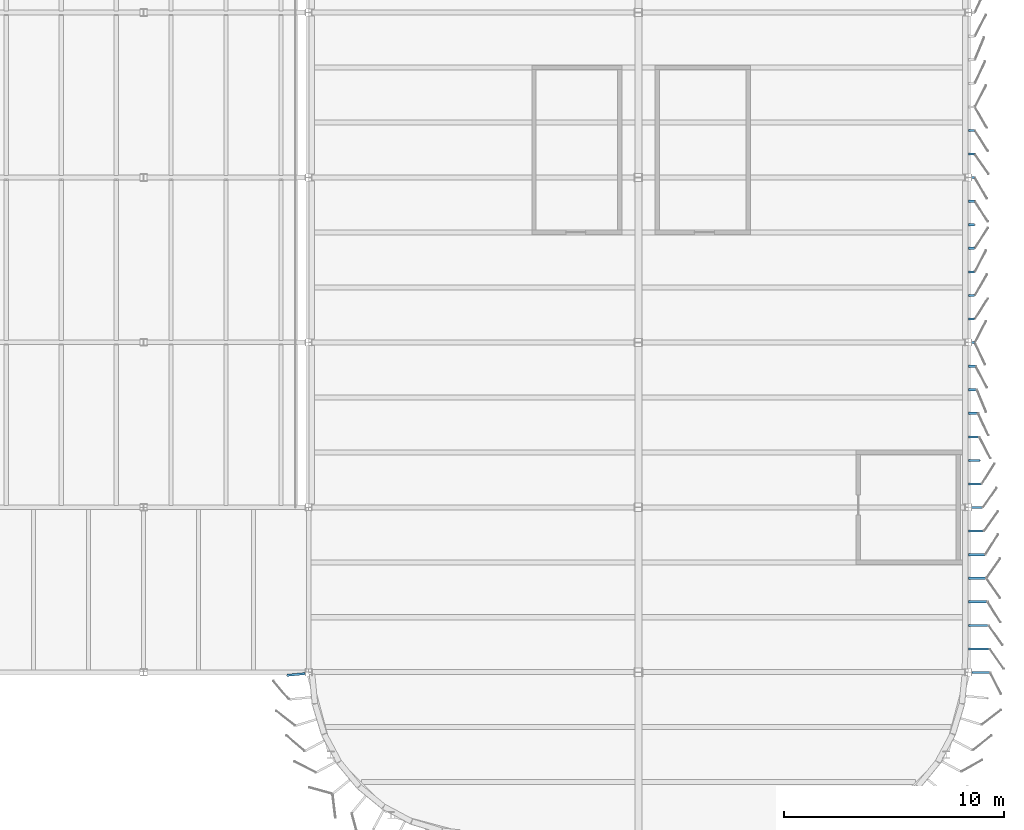
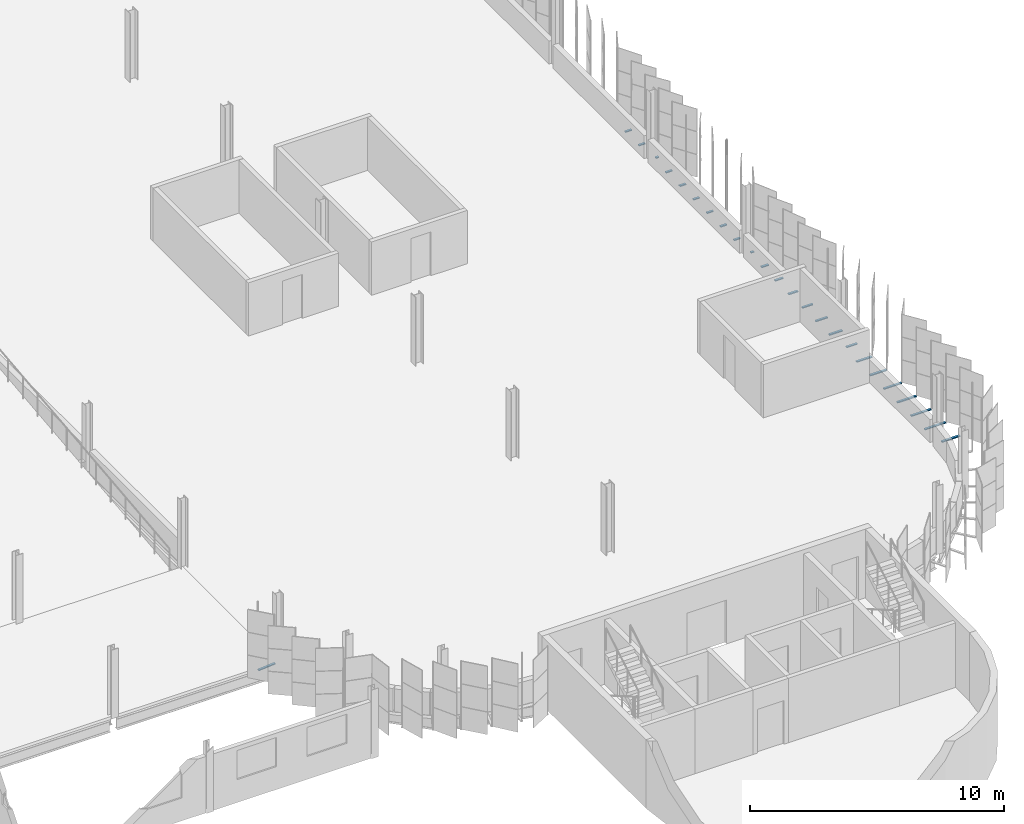
# One storey, part 168 of 199: 25 discrete accessories.
"""IFC4 building model written with IfcOpenShell, lengths in metres."""

from ifc_helpers import new_model, si_unit, direction, frame, origin, origin_2d, place, context, subcontext, project, spatial, rectangle, extrude, material, type_object, element, save


model = new_model("IFC4")

# Units and contexts
model_context = context("Model", 3, precision=1e-05, world=origin(), true_north=direction((0.0, 1.0)))
body_context = subcontext(model_context, "Body", "Model", "MODEL_VIEW")
ifc_project = project(units=[si_unit("LENGTHUNIT", "METRE"), si_unit("AREAUNIT", "SQUARE_METRE"), si_unit("VOLUMEUNIT", "CUBIC_METRE"), si_unit("PLANEANGLEUNIT", "RADIAN"), si_unit("MASSUNIT", "GRAM", prefix="KILO")], contexts=[model_context])

# Site, building, storey
site_placement = place(None, origin())
site = spatial("IfcSite", under=ifc_project, at=site_placement, CompositionType="ELEMENT")
building_placement = place(site_placement, origin())
building = spatial("IfcBuilding", under=site, at=building_placement, Name="Parallax Yard Mobility Hub", CompositionType="ELEMENT")
storey_placement = place(building_placement, frame((0.0, 0.0, 9.89990234375)))
storey = spatial("IfcBuildingStorey", under=building, at=storey_placement, Name="L03", CompositionType="ELEMENT", Elevation=9.89990234375)

# Discrete accessories
ifc_material = material(Name="Steel ASTM A36, hot-dip galvanised", Category="steel")
discrete_accessory_type = type_object("IfcDiscreteAccessoryType", Name="Hinge bracket plate 100x50", PredefinedType="BRACKET", material=ifc_material)
discrete_accessory_1_placement = place(storey_placement, frame((194.428955078125, 29.89794921875, -0.02490234375), z_axis=(0.0, 0.0, 1.0), x_axis=(-0.995184726672, -0.09801714033, 0.0)))
element("IfcDiscreteAccessory", 1, at=discrete_accessory_1_placement, inside=storey, type_object=discrete_accessory_type, Name="Hinge bracket plate bay 30.1 level L03", PredefinedType="BRACKET", context=body_context, shape_type="SweptSolid", body=[
    extrude(rectangle(XDim=0.810791015625, YDim=0.10009765625, at=origin_2d()), origin(), (0.0, 0.0, 1.0), 0.050048828125),
])
discrete_accessory_2_placement = place(storey_placement, frame((225.571044921875, 29.985595703125, -0.02490234375), z_axis=(0.0, 0.0, 1.0), x_axis=(1.0, 0.0, 0.0)))
element("IfcDiscreteAccessory", 2, at=discrete_accessory_2_placement, inside=storey, type_object=discrete_accessory_type, Name="Hinge bracket plate bay 33.1 level L03", PredefinedType="BRACKET", context=body_context, shape_type="SweptSolid", body=[
    extrude(rectangle(XDim=0.8251953125, YDim=0.10009765625, at=origin_2d()), origin(), (0.0, 0.0, 1.0), 0.050048828125),
])
discrete_accessory_3_placement = place(storey_placement, frame((225.4833984375, 31.057373046875, -0.02490234375), z_axis=(0.0, 0.0, 1.0), x_axis=(1.0, 0.0, 0.0)))
element("IfcDiscreteAccessory", 3, at=discrete_accessory_3_placement, inside=storey, type_object=discrete_accessory_type, Name="Hinge bracket plate bay 33.2 level L03", PredefinedType="BRACKET", context=body_context, shape_type="SweptSolid", body=[
    extrude(rectangle(XDim=0.968017578125, YDim=0.10009765625, at=origin_2d()), origin(), (0.0, 0.0, 1.0), 0.050048828125),
])
discrete_accessory_4_placement = place(storey_placement, frame((225.456787109375, 32.12890625, -0.02490234375), z_axis=(0.0, 0.0, 1.0), x_axis=(1.0, 0.0, 0.0)))
element("IfcDiscreteAccessory", 4, at=discrete_accessory_4_placement, inside=storey, type_object=discrete_accessory_type, Name="Hinge bracket plate bay 33.3 level L03", PredefinedType="BRACKET", context=body_context, shape_type="SweptSolid", body=[
    extrude(rectangle(XDim=0.91455078125, YDim=0.10009765625, at=origin_2d()), origin(), (0.0, 0.0, 1.0), 0.050048828125),
])
discrete_accessory_5_placement = place(storey_placement, frame((225.429931640625, 33.20068359375, -0.02490234375), z_axis=(0.0, 0.0, 1.0), x_axis=(1.0, 0.0, 0.0)))
element("IfcDiscreteAccessory", 5, at=discrete_accessory_5_placement, inside=storey, type_object=discrete_accessory_type, Name="Hinge bracket plate bay 33.4 level L03", PredefinedType="BRACKET", context=body_context, shape_type="SweptSolid", body=[
    extrude(rectangle(XDim=0.86083984375, YDim=0.10009765625, at=origin_2d()), origin(), (0.0, 0.0, 1.0), 0.050048828125),
])
discrete_accessory_6_placement = place(storey_placement, frame((225.4033203125, 34.2724609375, -0.02490234375), z_axis=(0.0, 0.0, 1.0), x_axis=(1.0, 0.0, 0.0)))
element("IfcDiscreteAccessory", 6, at=discrete_accessory_6_placement, inside=storey, type_object=discrete_accessory_type, Name="Hinge bracket plate bay 33.5 level L03", PredefinedType="BRACKET", context=body_context, shape_type="SweptSolid", body=[
    extrude(rectangle(XDim=0.807373046875, YDim=0.10009765625, at=origin_2d()), origin(), (0.0, 0.0, 1.0), 0.050048828125),
])
discrete_accessory_7_placement = place(storey_placement, frame((225.37646484375, 35.34423828125, -0.02490234375), z_axis=(0.0, 0.0, 1.0), x_axis=(1.0, 0.0, 0.0)))
element("IfcDiscreteAccessory", 7, at=discrete_accessory_7_placement, inside=storey, type_object=discrete_accessory_type, Name="Hinge bracket plate bay 33.6 level L03", PredefinedType="BRACKET", context=body_context, shape_type="SweptSolid", body=[
    extrude(rectangle(XDim=0.75390625, YDim=0.10009765625, at=origin_2d()), origin(), (0.0, 0.0, 1.0), 0.050048828125),
])
discrete_accessory_8_placement = place(storey_placement, frame((225.349609375, 36.416015625, -0.02490234375), z_axis=(0.0, 0.0, 1.0), x_axis=(1.0, 0.0, 0.0)))
element("IfcDiscreteAccessory", 8, at=discrete_accessory_8_placement, inside=storey, type_object=discrete_accessory_type, Name="Hinge bracket plate bay 33.7 level L03", PredefinedType="BRACKET", context=body_context, shape_type="SweptSolid", body=[
    extrude(rectangle(XDim=0.7001953125, YDim=0.10009765625, at=origin_2d()), origin(), (0.0, 0.0, 1.0), 0.050048828125),
])
discrete_accessory_9_placement = place(storey_placement, frame((225.399658203125, 37.487548828125, -0.02490234375), z_axis=(0.0, 0.0, 1.0), x_axis=(1.0, 0.0, 0.0)))
element("IfcDiscreteAccessory", 9, at=discrete_accessory_9_placement, inside=storey, type_object=discrete_accessory_type, Name="Hinge bracket plate bay 34.1 level L03", PredefinedType="BRACKET", context=body_context, shape_type="SweptSolid", body=[
    extrude(rectangle(XDim=0.4931640625, YDim=0.10009765625, at=origin_2d()), origin(), (0.0, 0.0, 1.0), 0.050048828125),
])
discrete_accessory_10_placement = place(storey_placement, frame((225.2958984375, 38.559326171875, -0.02490234375), z_axis=(0.0, 0.0, 1.0), x_axis=(1.0, 0.0, 0.0)))
element("IfcDiscreteAccessory", 10, at=discrete_accessory_10_placement, inside=storey, type_object=discrete_accessory_type, Name="Hinge bracket plate bay 34.2 level L03", PredefinedType="BRACKET", context=body_context, shape_type="SweptSolid", body=[
    extrude(rectangle(XDim=0.593017578125, YDim=0.10009765625, at=origin_2d()), origin(), (0.0, 0.0, 1.0), 0.050048828125),
])
discrete_accessory_11_placement = place(storey_placement, frame((225.269287109375, 39.631103515625, -0.02490234375), z_axis=(0.0, 0.0, 1.0), x_axis=(1.0, 0.0, 0.0)))
element("IfcDiscreteAccessory", 11, at=discrete_accessory_11_placement, inside=storey, type_object=discrete_accessory_type, Name="Hinge bracket plate bay 34.3 level L03", PredefinedType="BRACKET", context=body_context, shape_type="SweptSolid", body=[
    extrude(rectangle(XDim=0.53955078125, YDim=0.10009765625, at=origin_2d()), origin(), (0.0, 0.0, 1.0), 0.050048828125),
])
discrete_accessory_12_placement = place(storey_placement, frame((225.242431640625, 40.702880859375, -0.02490234375), z_axis=(0.0, 0.0, 1.0), x_axis=(1.0, 0.0, 0.0)))
element("IfcDiscreteAccessory", 12, at=discrete_accessory_12_placement, inside=storey, type_object=discrete_accessory_type, Name="Hinge bracket plate bay 34.4 level L03", PredefinedType="BRACKET", context=body_context, shape_type="SweptSolid", body=[
    extrude(rectangle(XDim=0.48583984375, YDim=0.10009765625, at=origin_2d()), origin(), (0.0, 0.0, 1.0), 0.050048828125),
])
discrete_accessory_13_placement = place(storey_placement, frame((225.2158203125, 41.774658203125, -0.02490234375), z_axis=(0.0, 0.0, 1.0), x_axis=(1.0, 0.0, 0.0)))
element("IfcDiscreteAccessory", 13, at=discrete_accessory_13_placement, inside=storey, type_object=discrete_accessory_type, Name="Hinge bracket plate bay 34.5 level L03", PredefinedType="BRACKET", context=body_context, shape_type="SweptSolid", body=[
    extrude(rectangle(XDim=0.432373046875, YDim=0.10009765625, at=origin_2d()), origin(), (0.0, 0.0, 1.0), 0.050048828125),
])
discrete_accessory_14_placement = place(storey_placement, frame((225.18896484375, 42.84619140625, -0.02490234375), z_axis=(0.0, 0.0, 1.0), x_axis=(1.0, 0.0, 0.0)))
element("IfcDiscreteAccessory", 14, at=discrete_accessory_14_placement, inside=storey, type_object=discrete_accessory_type, Name="Hinge bracket plate bay 34.6 level L03", PredefinedType="BRACKET", context=body_context, shape_type="SweptSolid", body=[
    extrude(rectangle(XDim=0.37890625, YDim=0.10009765625, at=origin_2d()), origin(), (0.0, 0.0, 1.0), 0.050048828125),
])
discrete_accessory_15_placement = place(storey_placement, frame((225.162109375, 43.91796875, -0.02490234375), z_axis=(0.0, 0.0, 1.0), x_axis=(1.0, 0.0, 0.0)))
element("IfcDiscreteAccessory", 15, at=discrete_accessory_15_placement, inside=storey, type_object=discrete_accessory_type, Name="Hinge bracket plate bay 34.7 level L03", PredefinedType="BRACKET", context=body_context, shape_type="SweptSolid", body=[
    extrude(rectangle(XDim=0.3251953125, YDim=0.10009765625, at=origin_2d()), origin(), (0.0, 0.0, 1.0), 0.050048828125),
])
discrete_accessory_16_placement = place(storey_placement, frame((225.21826171875, 44.98974609375, -0.02490234375), z_axis=(0.0, 0.0, 1.0), x_axis=(1.0, 0.0, 0.0)))
element("IfcDiscreteAccessory", 16, at=discrete_accessory_16_placement, inside=storey, type_object=discrete_accessory_type, Name="Hinge bracket plate bay 35.1 level L03", PredefinedType="BRACKET", context=body_context, shape_type="SweptSolid", body=[
    extrude(rectangle(XDim=0.130615234375, YDim=0.10009765625, at=origin_2d()), origin(), (0.0, 0.0, 1.0), 0.050048828125),
])
for number, where, z_axis, x_axis, name in (
    (17, (225.1416015625, 46.0615234375, -0.02490234375), (0.0, 0.0, 1.0), (1.0, 0.0, 0.0), "Hinge bracket plate bay 35.2 level L03"),
    (18, (225.1416015625, 47.13330078125, -0.02490234375), (0.0, 0.0, 1.0), (1.0, 0.0, 0.0), "Hinge bracket plate bay 35.3 level L03"),
    (19, (225.1416015625, 48.204833984375, -0.02490234375), (0.0, 0.0, 1.0), (1.0, 0.0, 0.0), "Hinge bracket plate bay 35.4 level L03"),
    (20, (225.1416015625, 49.276611328125, -0.02490234375), (0.0, 0.0, 1.0), (1.0, 0.0, 0.0), "Hinge bracket plate bay 35.5 level L03"),
    (21, (225.1416015625, 50.348388671875, -0.02490234375), (0.0, 0.0, 1.0), (1.0, 0.0, 0.0), "Hinge bracket plate bay 35.6 level L03"),
    (22, (225.1416015625, 51.420166015625, -0.02490234375), (0.0, 0.0, 1.0), (1.0, 0.0, 0.0), "Hinge bracket plate bay 35.7 level L03"),
):
    element("IfcDiscreteAccessory", number, at=place(storey_placement, frame(where, z_axis=z_axis, x_axis=x_axis)), inside=storey, type_object=discrete_accessory_type, Name=name, PredefinedType="BRACKET", context=body_context, shape_type="SweptSolid", body=[
        extrude(rectangle(XDim=0.2841796875, YDim=0.10009765625, at=origin_2d()), origin(), (0.0, 0.0, 1.0), 0.050048828125),
    ])
discrete_accessory_17_placement = place(storey_placement, frame((225.21826171875, 52.491943359375, -0.02490234375), z_axis=(0.0, 0.0, 1.0), x_axis=(1.0, 0.0, 0.0)))
element("IfcDiscreteAccessory", 23, at=discrete_accessory_17_placement, inside=storey, type_object=discrete_accessory_type, Name="Hinge bracket plate bay 36.1 level L03", PredefinedType="BRACKET", context=body_context, shape_type="SweptSolid", body=[
    extrude(rectangle(XDim=0.130615234375, YDim=0.10009765625, at=origin_2d()), origin(), (0.0, 0.0, 1.0), 0.050048828125),
])
for number, where, z_axis, x_axis, name in (
    (24, (225.1416015625, 53.563720703125, -0.02490234375), (0.0, 0.0, 1.0), (1.0, 0.0, 0.0), "Hinge bracket plate bay 36.2 level L03"),
    (25, (225.1416015625, 54.63525390625, -0.02490234375), (0.0, 0.0, 1.0), (1.0, 0.0, 0.0), "Hinge bracket plate bay 36.3 level L03"),
):
    element("IfcDiscreteAccessory", number, at=place(storey_placement, frame(where, z_axis=z_axis, x_axis=x_axis)), inside=storey, type_object=discrete_accessory_type, Name=name, PredefinedType="BRACKET", context=body_context, shape_type="SweptSolid", body=[
        extrude(rectangle(XDim=0.2841796875, YDim=0.10009765625, at=origin_2d()), origin(), (0.0, 0.0, 1.0), 0.050048828125),
    ])

save(model, "model.ifc")
